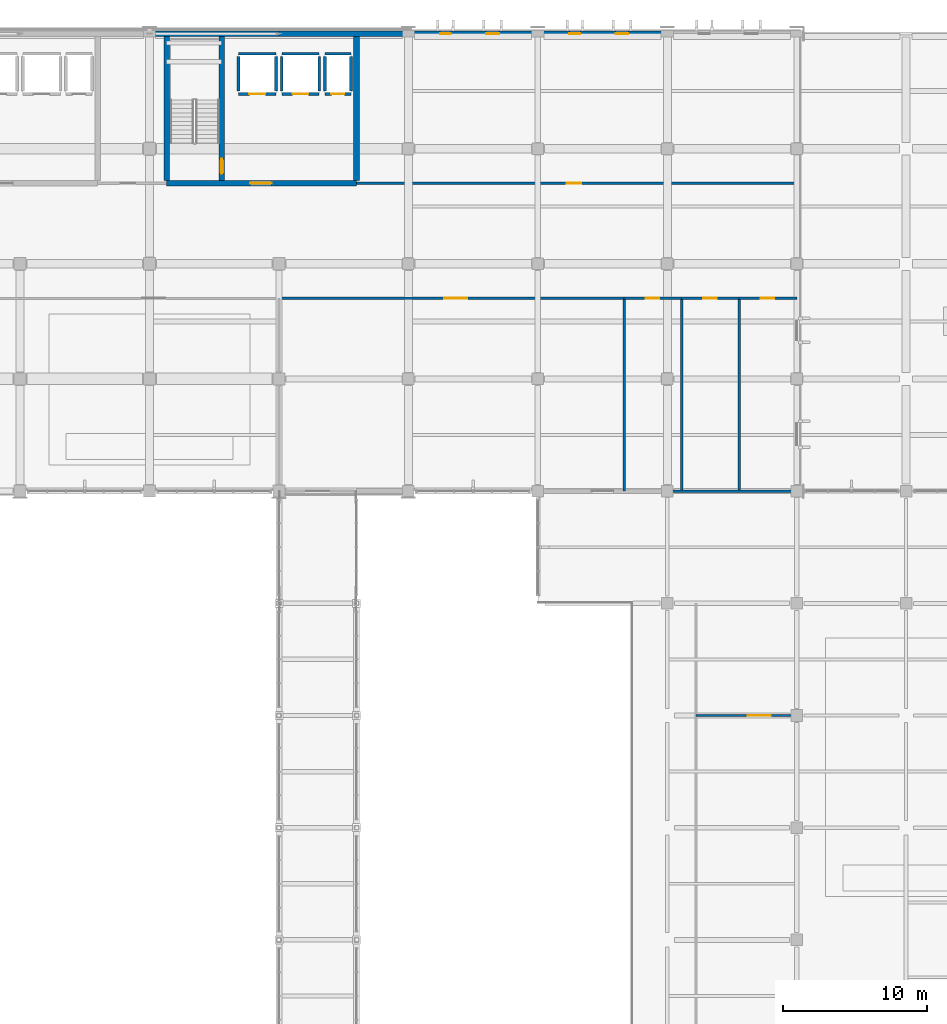
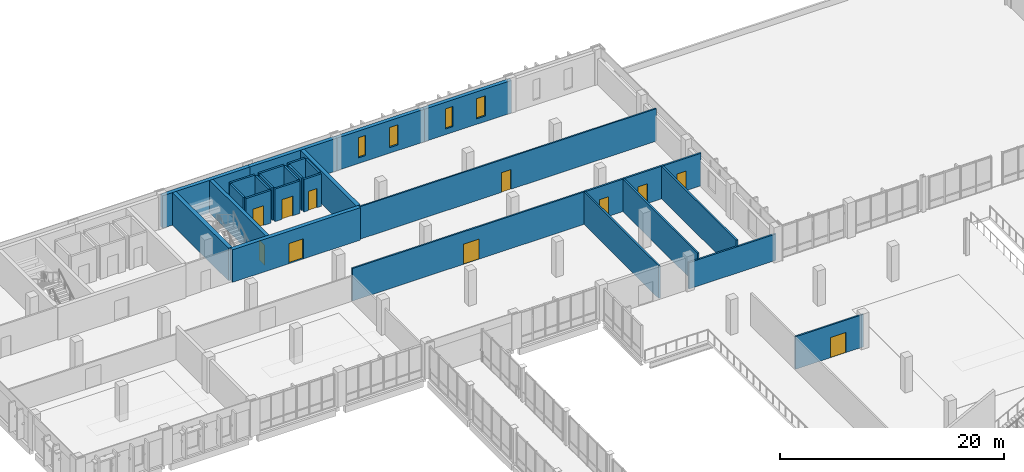
# One storey, part 61 of 85: 30 walls, 11 doors, 4 windows, 15 openings.
"""IFC4 building model written with IfcOpenShell, lengths in metres."""

import ifcopenshell
import ifcopenshell.guid

model = None  # the IFC model being written
_history = None  # IfcOwnerHistory: only IFC2X3 demands one
_inside = {}  # id of a spatial element -> (the spatial element, [elements in it])
_under = {}  # id of a project, library or spatial element -> (it, [spatial elements below it])
_declared = {}  # id of a project -> (the project, [libraries it declares])
_typed = {}  # id of a type object -> (the type object, [elements of that type])
_made_of = {}  # id of a material, layer set ... -> (it, [elements and type objects made of it])


def new_model(schema):
    """Start an empty IFC model of exactly this schema.

    Asked for "IFC4X3", IfcOpenShell would pick the latest addendum, in which some entities
    have other attributes; the version numbers below select the first issue.
    IFC2X3 requires an IfcOwnerHistory on every rooted entity: one is made here for all.
    """
    global model, _history
    if schema == "IFC4X3":
        model = ifcopenshell.file(schema_version=(4, 3, 0, 0))
    else:
        model = ifcopenshell.file(schema=schema)
    _inside.clear()
    _under.clear()
    _declared.clear()
    _typed.clear()
    _made_of.clear()
    _history = None
    if model.schema == "IFC2X3":
        org = make("IfcOrganization", Name="unknown")
        user = make(
            "IfcPersonAndOrganization",
            ThePerson=make("IfcPerson", FamilyName="unknown"),
            TheOrganization=org,
        )
        app = make(
            "IfcApplication",
            ApplicationDeveloper=org,
            Version="unknown",
            ApplicationFullName="unknown",
            ApplicationIdentifier="unknown",
        )
        _history = make(
            "IfcOwnerHistory",
            OwningUser=user,
            OwningApplication=app,
            ChangeAction="ADDED",
            CreationDate=0,
        )
    return model


def make(cls, **values):
    """One entity of the class cls with the attributes given. An attribute that is None is left unset."""
    return model.create_entity(
        cls, **{name: value for name, value in values.items() if value is not None}
    )


def rooted(cls, **values):
    """An entity with a GlobalId (a new one), such as an element, a storey or a relation."""
    return make(cls, GlobalId=ifcopenshell.guid.new(), OwnerHistory=_history, **values)


def si_unit(unit_type, name, prefix=None):
    """IfcSIUnit, for example si_unit("LENGTHUNIT", "METRE", prefix="MILLI")."""
    return make("IfcSIUnit", UnitType=unit_type, Prefix=prefix, Name=name)


def assignment(units):
    """IfcUnitAssignment: the units of a project."""
    return None if units is None else make("IfcUnitAssignment", Units=units)


def point(xyz):
    """IfcCartesianPoint."""
    return None if xyz is None else make("IfcCartesianPoint", Coordinates=xyz)


def direction(xyz):
    """IfcDirection."""
    return None if xyz is None else make("IfcDirection", DirectionRatios=xyz)


def frame(location, z_axis=None, x_axis=None):
    """IfcAxis2Placement3D, a coordinate frame: its origin and axes. An axis left out is left unset."""
    return make(
        "IfcAxis2Placement3D",
        Location=point(location),
        Axis=direction(z_axis),
        RefDirection=direction(x_axis),
    )


def frame_2d(location, x_axis=None):
    """IfcAxis2Placement2D, a coordinate frame in the plane: its origin and x axis."""
    return make(
        "IfcAxis2Placement2D", Location=point(location), RefDirection=direction(x_axis)
    )


def origin():
    """The frame at (0, 0, 0) with its axes left unset."""
    return frame((0.0, 0.0, 0.0))


def place(relative_to, where):
    """IfcLocalPlacement: puts the frame where relative to a parent placement (None: the world)."""
    return make(
        "IfcLocalPlacement", PlacementRelTo=relative_to, RelativePlacement=where
    )


def context(
    kind, dimensions, precision=None, world=None, true_north=None, identifier=None
):
    """IfcGeometricRepresentationContext, for example the 3D "Model" context."""
    return make(
        "IfcGeometricRepresentationContext",
        ContextIdentifier=identifier,
        ContextType=kind,
        CoordinateSpaceDimension=dimensions,
        Precision=precision,
        WorldCoordinateSystem=world,
        TrueNorth=true_north,
    )


def subcontext(parent, identifier, kind, view, scale=None):
    """IfcGeometricRepresentationSubContext, for example "Body" below "Model"."""
    return make(
        "IfcGeometricRepresentationSubContext",
        ContextIdentifier=identifier,
        ContextType=kind,
        ParentContext=parent,
        TargetScale=scale,
        TargetView=view,
    )


def project(units=None, contexts=None):
    """IfcProject with its units and contexts."""
    return rooted(
        "IfcProject",
        Name="project",
        RepresentationContexts=contexts,
        UnitsInContext=assignment(units),
    )


def spatial(cls, under=None, at=None, **own):
    """A site, building, storey or space (cls), placed at a placement, below another one or the project."""
    s = rooted(cls, ObjectPlacement=at, **own)
    if under is not None:
        _under.setdefault(under.id(), (under, []))[1].append(s)
    return s


def profile(cls, at=None, kind="AREA", **sizes):
    """A parametric profile (cls). Its sizes go by their IFC names, for example OverallWidth=200.0."""
    return make(cls, ProfileType=kind, Position=at, **sizes)


def rectangle(**sizes):
    """IfcRectangleProfileDef."""
    return profile("IfcRectangleProfileDef", **sizes)


def extrude(swept, where, along, depth):
    """IfcExtrudedAreaSolid: the profile swept, set in the frame where, extruded along a direction by depth."""
    return make(
        "IfcExtrudedAreaSolid",
        SweptArea=swept,
        Position=where,
        ExtrudedDirection=direction(along),
        Depth=depth,
    )


def shape(context_of_items, identifier, shape_type, items):
    """IfcShapeRepresentation: the items that make up one representation, for example the "Body"."""
    return make(
        "IfcShapeRepresentation",
        ContextOfItems=context_of_items,
        RepresentationIdentifier=identifier,
        RepresentationType=shape_type,
        Items=items,
    )


def material(Name=None, Category=None):
    """IfcMaterial."""
    return make("IfcMaterial", Name=Name, Category=Category)


def layer(
    of_material, thickness, ventilated=None, Name=None, Category=None, Priority=None
):
    """IfcMaterialLayer: one layer of a wall or slab, of a material (None: an air gap)."""
    return make(
        "IfcMaterialLayer",
        Material=of_material,
        LayerThickness=thickness,
        IsVentilated=ventilated,
        Name=Name,
        Category=Category,
        Priority=Priority,
    )


def layer_set(layers, Name=None):
    """IfcMaterialLayerSet."""
    return make("IfcMaterialLayerSet", MaterialLayers=layers, LayerSetName=Name)


def made_of(thing, what):
    """Note that an element or type object is made of a material, layer set ...; save() writes the relation."""
    if what is not None:
        _made_of.setdefault(what.id(), (what, []))[1].append(thing)
    return thing


def type_object(cls, material=None, **own):
    """A type object (cls), such as IfcWallType, which elements share."""
    return made_of(rooted(cls, **own), material)


def element(
    cls,
    number,
    at=None,
    inside=None,
    cuts=None,
    type_object=None,
    material=None,
    context=None,
    identifier="Body",
    shape_type=None,
    held_by="IfcProductDefinitionShape",
    body=None,
    shapes=None,
    **own,
):
    """One element of the class cls, such as IfcWall. Its Tag is "e" and its number.

    at: its placement. inside: the storey or other place that contains it. cuts: it is an
    opening in that element (IfcRelVoidsElement). A single representation is given by context,
    identifier, shape_type and body (its items); several are given by shapes. held_by: the class
    of the entity that holds the representations. save() writes the other relations.
    """
    e = rooted(cls, Tag="e%d" % number, ObjectPlacement=at, **own)
    if body is not None:
        shapes = [shape(context, identifier, shape_type, body)]
    if shapes is not None:
        e.Representation = make(held_by, Representations=shapes)
    if inside is not None:
        _inside.setdefault(inside.id(), (inside, []))[1].append(e)
    if cuts is not None:
        rooted(
            "IfcRelVoidsElement", RelatingBuildingElement=cuts, RelatedOpeningElement=e
        )
    if type_object is not None:
        _typed.setdefault(type_object.id(), (type_object, []))[1].append(e)
    return made_of(e, material)


def fill(opening, filler):
    """IfcRelFillsElement: the door or window that sits in an opening."""
    return rooted(
        "IfcRelFillsElement",
        RelatingOpeningElement=opening,
        RelatedBuildingElement=filler,
    )


def aggregate(whole, parts):
    """IfcRelAggregates: a whole, such as a stair, and the parts it consists of."""
    return rooted("IfcRelAggregates", RelatingObject=whole, RelatedObjects=parts)


def save(model, path):
    """Write the relations noted so far, then the file.

    IfcRelAggregates (storeys below a building ...), IfcRelContainedInSpatialStructure (elements
    in a storey), IfcRelDefinesByType, IfcRelAssociatesMaterial and IfcRelDeclares: one each for
    every whole, place, type object, material and project.
    """
    for whole, parts in _under.values():
        aggregate(whole, parts)
    for where, things in _inside.values():
        rooted(
            "IfcRelContainedInSpatialStructure",
            RelatedElements=things,
            RelatingStructure=where,
        )
    for kind, things in _typed.values():
        rooted("IfcRelDefinesByType", RelatedObjects=things, RelatingType=kind)
    for what, things in _made_of.values():
        rooted("IfcRelAssociatesMaterial", RelatedObjects=things, RelatingMaterial=what)
    for by, libraries in _declared.values():
        rooted("IfcRelDeclares", RelatingContext=by, RelatedDefinitions=libraries)
    model.write(path)


model = new_model("IFC4")

# Units and contexts
model_context = context("Model", 3, precision=1e-05, world=origin(), true_north=direction((0.0, 1.0)))
body_context = subcontext(model_context, "Body", "Model", "MODEL_VIEW")
ifc_project = project(units=[si_unit("LENGTHUNIT", "METRE"), si_unit("AREAUNIT", "SQUARE_METRE"), si_unit("VOLUMEUNIT", "CUBIC_METRE"), si_unit("PLANEANGLEUNIT", "RADIAN"), si_unit("MASSUNIT", "GRAM", prefix="KILO")], contexts=[model_context])

# Site, building, storey
site_placement = place(None, origin())
site = spatial("IfcSite", under=ifc_project, at=site_placement, CompositionType="ELEMENT")
building_placement = place(site_placement, origin())
building = spatial("IfcBuilding", under=site, at=building_placement, Name="Vervanel Yard Central Library", CompositionType="ELEMENT")
storey_placement = place(building_placement, frame((0.0, 0.0, 5.10009765625)))
storey = spatial("IfcBuildingStorey", under=building, at=storey_placement, Name="L01", CompositionType="ELEMENT", Elevation=5.10009765625)

# Wall, opening, door
ifc_material_1 = material(Name="Fire-rated gypsum board on steel studs", Category="steel")
ifc_layer_1 = layer(ifc_material_1, 0.159912109375, Category="steel")
ifc_layer_set_1 = layer_set([ifc_layer_1], Name="Fire-rated gypsum board on steel studs")
wall_type_1 = type_object("IfcWallType", Name="Acoustic Glazed Partition 160", PredefinedType="PARTITIONING", material=ifc_layer_set_1)
wall_1_placement = place(storey_placement, frame((72.0, 95.60009765625, 0.0), z_axis=(0.0, 0.0, 1.0), x_axis=(1.0, 0.0, 0.0)))
wall_1 = element("IfcWall", 1, at=wall_1_placement, inside=storey, type_object=wall_type_1, Name="L01 Acoustic Glazed Partition 160 IPART-L01-0048", PredefinedType="PARTITIONING", context=body_context, shape_type="SweptSolid", body=[
    extrude(rectangle(XDim=24.0, YDim=0.159912109375, at=frame_2d((12.0, 0.0))), origin(), (0.0, 0.0, 1.0), 3.5498046875),
])
opening_1_placement = place(wall_1_placement, frame((11.5, 0.0, 0.0)))
opening_1 = element("IfcOpeningElement", 2, at=opening_1_placement, cuts=wall_1, Name="Opening DR-04", PredefinedType="OPENING", context=body_context, shape_type="SweptSolid", body=[
    extrude(rectangle(XDim=1.60009765625, YDim=2.199951171875, at=frame_2d((0.800048828125, 1.10009765625))), frame((0.0, 0.08984375, 0.0), z_axis=(0.0, -1.0, 0.0), x_axis=(1.0, 0.0, 0.0)), (0.0, 0.0, 1.0), 0.179931640625),
])
ifc_material_2 = material(Name="Solid white oak acoustic joinery", Category="wood")
door_type_1 = type_object("IfcDoorType", Name="Interior Double Reading Door 1600x2200", OperationType="NOTDEFINED", PredefinedType="DOOR", material=ifc_material_2)
door_1_placement = place(opening_1_placement, origin())
door_1 = element("IfcDoor", 3, at=door_1_placement, inside=storey, type_object=door_type_1, Name="L01 Interior Double Reading Door 1600x2200 IDOOR-L01-0038", OperationType="DOUBLE_DOOR_SINGLE_SWING", OverallHeight=2.199951171875, OverallWidth=1.60009765625, PredefinedType="DOOR", context=body_context, shape_type="SweptSolid", body=[
    extrude(rectangle(XDim=1.60009765625, YDim=2.199951171875, at=frame_2d((0.800048828125, 1.10009765625))), frame((0.0, 0.02490234375, 0.0), z_axis=(0.0, -1.0, 0.0), x_axis=(1.0, 0.0, 0.0)), (0.0, 0.0, 1.0), 0.050048828125),
])
fill(opening_1, door_1)

wall_2_placement = place(storey_placement, frame((101.0, 66.60009765625, 0.0), z_axis=(0.0, 0.0, 1.0), x_axis=(1.0, 0.0, 0.0)))
wall_2 = element("IfcWall", 4, at=wall_2_placement, inside=storey, type_object=wall_type_1, Name="L01 Acoustic Glazed Partition 160 IPART-L01-0063", PredefinedType="PARTITIONING", context=body_context, shape_type="SweptSolid", body=[
    extrude(rectangle(XDim=7.0, YDim=0.159912109375, at=frame_2d((3.5, 0.0))), origin(), (0.0, 0.0, 1.0), 3.5498046875),
])
opening_2_placement = place(wall_2_placement, frame((3.60009765625, 0.0, 0.0)))
opening_2 = element("IfcOpeningElement", 5, at=opening_2_placement, cuts=wall_2, Name="Opening DR-04", PredefinedType="OPENING", context=body_context, shape_type="SweptSolid", body=[
    extrude(rectangle(XDim=1.60009765625, YDim=2.199951171875, at=frame_2d((0.800048828125, 1.10009765625))), frame((0.0, 0.08984375, 0.0), z_axis=(0.0, -1.0, 0.0), x_axis=(1.0, 0.0, 0.0)), (0.0, 0.0, 1.0), 0.179931640625),
])
door_2_placement = place(opening_2_placement, origin())
door_2 = element("IfcDoor", 6, at=door_2_placement, inside=storey, type_object=door_type_1, Name="L01 Interior Double Reading Door 1600x2200 IDOOR-L01-0049", OperationType="DOUBLE_DOOR_SINGLE_SWING", OverallHeight=2.199951171875, OverallWidth=1.60009765625, PredefinedType="DOOR", context=body_context, shape_type="SweptSolid", body=[
    extrude(rectangle(XDim=1.60009765625, YDim=2.199951171875, at=frame_2d((0.800048828125, 1.10009765625))), frame((0.0, 0.02490234375, 0.0), z_axis=(0.0, -1.0, 0.0), x_axis=(1.0, 0.0, 0.0)), (0.0, 0.0, 1.0), 0.050048828125),
])
fill(opening_2, door_2)

ifc_material_3 = material(Name="Concrete C45/55", Category="concrete")
ifc_layer_2 = layer(ifc_material_3, 0.39990234375, Category="concrete")
ifc_layer_set_2 = layer_set([ifc_layer_2], Name="Concrete C45/55")
wall_type_2 = type_object("IfcWallType", Name="Core Primary Shear Wall 400", PredefinedType="SHEAR", material=ifc_layer_set_2)
wall_3_placement = place(storey_placement, frame((64.199951171875, 103.60009765625, 0.0), z_axis=(0.0, 0.0, 1.0), x_axis=(1.0, 0.0, 0.0)))
wall_3 = element("IfcWall", 7, at=wall_3_placement, inside=storey, type_object=wall_type_2, Name="L01 CORE-B Shear Wall S", PredefinedType="SHEAR", context=body_context, shape_type="SweptSolid", body=[
    extrude(rectangle(XDim=13.199951171875, YDim=0.39990234375, at=frame_2d((6.60009765625, 0.0))), origin(), (0.0, 0.0, 1.0), 3.5498046875),
])
opening_3_placement = place(wall_3_placement, frame((5.800048828125, 0.0, 0.0)))
opening_3 = element("IfcOpeningElement", 8, at=opening_3_placement, cuts=wall_3, Name="Opening DR-F02", PredefinedType="OPENING", context=body_context, shape_type="SweptSolid", body=[
    extrude(rectangle(XDim=1.5, YDim=2.199951171875, at=frame_2d((0.75, 1.10009765625))), frame((0.0, 0.2099609375, 0.0), z_axis=(0.0, -1.0, 0.0), x_axis=(1.0, 0.0, 0.0)), (0.0, 0.0, 1.0), 0.419921875),
])
ifc_material_4 = material(Name="Galvanized painted steelwork ASTM A500 Grade C", Category="steel")
door_type_2 = type_object("IfcDoorType", Name="Fire-Rated Lobby Door 1500x2200", OperationType="NOTDEFINED", PredefinedType="DOOR", material=ifc_material_4)
door_3_placement = place(opening_3_placement, origin())
door_3 = element("IfcDoor", 9, at=door_3_placement, inside=storey, type_object=door_type_2, Name="L01 CORE-B Lobby Fire Door", OperationType="DOUBLE_DOOR_SINGLE_SWING", OverallHeight=2.199951171875, OverallWidth=1.5, PredefinedType="DOOR", context=body_context, shape_type="SweptSolid", body=[
    extrude(rectangle(XDim=1.5, YDim=2.199951171875, at=frame_2d((0.75, 1.10009765625))), frame((0.0, 0.02490234375, 0.0), z_axis=(0.0, -1.0, 0.0), x_axis=(1.0, 0.0, 0.0)), (0.0, 0.0, 1.0), 0.050048828125),
])
fill(opening_3, door_3)

# Walls
for number, where, z_axis, x_axis, name in (
    (10, (64.199951171875, 103.800048828125, 0.0), (0.0, 0.0, 1.0), (0.0, 1.0, 0.0), "L01 CORE-B Shear Wall W"),
    (11, (77.39990234375, 103.800048828125, 0.0), (0.0, 0.0, 1.0), (0.0, 1.0, 0.0), "L01 CORE-B Shear Wall E"),
):
    element("IfcWall", number, at=place(storey_placement, frame(where, z_axis=z_axis, x_axis=x_axis)), inside=storey, type_object=wall_type_2, Name=name, PredefinedType="SHEAR", context=body_context, shape_type="SweptSolid", body=[
        extrude(rectangle(XDim=10.010009765625, YDim=0.39990234375, at=frame_2d((5.0048828125, 0.0))), origin(), (0.0, 0.0, 1.0), 3.5498046875),
    ])

# Wall, opening, door
ifc_layer_3 = layer(ifc_material_3, 0.35009765625, Category="concrete")
ifc_layer_set_3 = layer_set([ifc_layer_3], Name="Concrete C45/55")
wall_type_3 = type_object("IfcWallType", Name="Core Secondary Shear Wall 350", PredefinedType="SHEAR", material=ifc_layer_set_3)
wall_4_placement = place(storey_placement, frame((68.02490234375, 103.800048828125, 0.0), z_axis=(0.0, 0.0, 1.0), x_axis=(0.0, 1.0, 0.0)))
wall_4 = element("IfcWall", 12, at=wall_4_placement, inside=storey, type_object=wall_type_3, Name="L01 CORE-B Stair Shaft Wall", PredefinedType="SHEAR", context=body_context, shape_type="SweptSolid", body=[
    extrude(rectangle(XDim=10.010009765625, YDim=0.35009765625, at=frame_2d((5.0048828125, 0.0))), origin(), (0.0, 0.0, 1.0), 3.5498046875),
])
opening_4_placement = place(wall_4_placement, frame((0.449951171875, 0.0, 0.0)))
opening_4 = element("IfcOpeningElement", 13, at=opening_4_placement, cuts=wall_4, Name="Opening DR-F01", PredefinedType="OPENING", context=body_context, shape_type="SweptSolid", body=[
    extrude(rectangle(XDim=1.050048828125, YDim=2.199951171875, at=frame_2d((0.52490234375, 1.10009765625))), frame((0.0, 0.18505859375, 0.0), z_axis=(0.0, -1.0, 0.0), x_axis=(1.0, 0.0, 0.0)), (0.0, 0.0, 1.0), 0.3701171875),
])
door_type_3 = type_object("IfcDoorType", Name="Fire-Rated Stair Exit Door 1050x2200", OperationType="NOTDEFINED", PredefinedType="DOOR", material=ifc_material_4)
door_4_placement = place(opening_4_placement, origin())
door_4 = element("IfcDoor", 14, at=door_4_placement, inside=storey, type_object=door_type_3, Name="L01 CORE-B Stair Door", OperationType="SINGLE_SWING_RIGHT", OverallHeight=2.199951171875, OverallWidth=1.050048828125, PredefinedType="DOOR", context=body_context, shape_type="SweptSolid", body=[
    extrude(rectangle(XDim=1.050048828125, YDim=2.199951171875, at=frame_2d((0.52490234375, 1.10009765625))), frame((0.0, 0.02490234375, 0.0), z_axis=(0.0, -1.0, 0.0), x_axis=(1.0, 0.0, 0.0)), (0.0, 0.0, 1.0), 0.050048828125),
])
fill(opening_4, door_4)

# Walls
ifc_layer_4 = layer(ifc_material_3, 0.3798828125, Category="concrete")
ifc_layer_set_4 = layer_set([ifc_layer_4], Name="Concrete C45/55")
wall_type_4 = type_object("IfcWallType", Name="Exterior Bearing Concrete Spine Wall 380", PredefinedType="SOLIDWALL", material=ifc_layer_set_4)
for number, where, z_axis, x_axis, name in (
    (15, (63.0, 114.0, 0.0), (0.0, 0.0, 1.0), (1.0, 0.0, 0.0), "L01 Exterior Bearing Concrete Spine Wall 380 EWALL-L01-0022"),
    (16, (72.0, 114.0, 0.0), (0.0, 0.0, 1.0), (1.0, 0.0, 0.0), "L01 Exterior Bearing Concrete Spine Wall 380 EWALL-L01-0023"),
):
    element("IfcWall", number, at=place(storey_placement, frame(where, z_axis=z_axis, x_axis=x_axis)), inside=storey, type_object=wall_type_4, Name=name, PredefinedType="SOLIDWALL", context=body_context, shape_type="SweptSolid", body=[
        extrude(rectangle(XDim=9.0, YDim=0.3798828125, at=frame_2d((4.5, 0.0))), origin(), (0.0, 0.0, 1.0), 3.5498046875),
    ])

# Wall, openings, windows
wall_5_placement = place(storey_placement, frame((81.0, 114.0, 0.0), z_axis=(0.0, 0.0, 1.0), x_axis=(1.0, 0.0, 0.0)))
wall_5 = element("IfcWall", 17, at=wall_5_placement, inside=storey, type_object=wall_type_4, Name="L01 Exterior Bearing Concrete Spine Wall 380 EWALL-L01-0024", PredefinedType="SOLIDWALL", context=body_context, shape_type="SweptSolid", body=[
    extrude(rectangle(XDim=9.0, YDim=0.3798828125, at=frame_2d((4.5, 0.0))), origin(), (0.0, 0.0, 1.0), 3.5498046875),
])
opening_5_placement = place(wall_5_placement, frame((2.199951171875, 0.0, 0.614990234375)))
opening_5 = element("IfcOpeningElement", 18, at=opening_5_placement, cuts=wall_5, Name="Opening WN-04", PredefinedType="OPENING", context=body_context, shape_type="SweptSolid", body=[
    extrude(rectangle(XDim=0.75, YDim=2.199951171875, at=frame_2d((0.375, 1.10009765625))), frame((0.0, 0.199951171875, 0.0), z_axis=(0.0, -1.0, 0.0), x_axis=(1.0, 0.0, 0.0)), (0.0, 0.0, 1.0), 0.39990234375),
])
opening_6_placement = place(wall_5_placement, frame((5.39990234375, 0.0, 0.614990234375)))
opening_6 = element("IfcOpeningElement", 19, at=opening_6_placement, cuts=wall_5, Name="Opening WN-05", PredefinedType="OPENING", context=body_context, shape_type="SweptSolid", body=[
    extrude(rectangle(XDim=0.89990234375, YDim=2.199951171875, at=frame_2d((0.449951171875, 1.10009765625))), frame((0.0, 0.199951171875, 0.0), z_axis=(0.0, -1.0, 0.0), x_axis=(1.0, 0.0, 0.0)), (0.0, 0.0, 1.0), 0.39990234375),
])
ifc_material_5 = material(Name="Double low-E laminated solar-control glass", Category="glass")
window_type_1 = type_object("IfcWindowType", Name="Stack Deep-Reveal Window 900x2200", PartitioningType="SINGLE_PANEL", PredefinedType="WINDOW", material=ifc_material_5)
window_1_placement = place(opening_6_placement, origin())
window_1 = element("IfcWindow", 20, at=window_1_placement, inside=storey, type_object=window_type_1, Name="L01 Stack Deep-Reveal Window 900x2200 31", OverallHeight=2.199951171875, OverallWidth=0.89990234375, PartitioningType="SINGLE_PANEL", PredefinedType="WINDOW", context=body_context, shape_type="SweptSolid", body=[
    extrude(rectangle(XDim=0.89990234375, YDim=2.199951171875, at=frame_2d((0.449951171875, 1.10009765625))), frame((0.0, 0.030029296875, 0.0), z_axis=(0.0, -1.0, 0.0), x_axis=(1.0, 0.0, 0.0)), (0.0, 0.0, 1.0), 0.06005859375),
])
fill(opening_6, window_1)
window_type_2 = type_object("IfcWindowType", Name="Stack Narrow UV-Filtered Window 750x2200", PartitioningType="SINGLE_PANEL", PredefinedType="WINDOW", material=ifc_material_5)
window_2_placement = place(opening_5_placement, origin())
window_2 = element("IfcWindow", 21, at=window_2_placement, inside=storey, type_object=window_type_2, Name="L01 Stack Narrow UV-Filtered Window 750x2200 30", OverallHeight=2.199951171875, OverallWidth=0.75, PartitioningType="SINGLE_PANEL", PredefinedType="WINDOW", context=body_context, shape_type="SweptSolid", body=[
    extrude(rectangle(XDim=0.75, YDim=2.199951171875, at=frame_2d((0.375, 1.10009765625))), frame((0.0, 0.030029296875, 0.0), z_axis=(0.0, -1.0, 0.0), x_axis=(1.0, 0.0, 0.0)), (0.0, 0.0, 1.0), 0.06005859375),
])
fill(opening_5, window_2)

wall_6_placement = place(storey_placement, frame((90.0, 114.0, 0.0), z_axis=(0.0, 0.0, 1.0), x_axis=(1.0, 0.0, 0.0)))
wall_6 = element("IfcWall", 22, at=wall_6_placement, inside=storey, type_object=wall_type_4, Name="L01 Exterior Bearing Concrete Spine Wall 380 EWALL-L01-0025", PredefinedType="SOLIDWALL", context=body_context, shape_type="SweptSolid", body=[
    extrude(rectangle(XDim=9.0, YDim=0.3798828125, at=frame_2d((4.5, 0.0))), origin(), (0.0, 0.0, 1.0), 3.5498046875),
])
opening_7_placement = place(wall_6_placement, frame((2.199951171875, 0.0, 0.614990234375)))
opening_7 = element("IfcOpeningElement", 23, at=opening_7_placement, cuts=wall_6, Name="Opening WN-04", PredefinedType="OPENING", context=body_context, shape_type="SweptSolid", body=[
    extrude(rectangle(XDim=0.75, YDim=2.199951171875, at=frame_2d((0.375, 1.10009765625))), frame((0.0, 0.199951171875, 0.0), z_axis=(0.0, -1.0, 0.0), x_axis=(1.0, 0.0, 0.0)), (0.0, 0.0, 1.0), 0.39990234375),
])
opening_8_placement = place(wall_6_placement, frame((5.39990234375, 0.0, 0.614990234375)))
opening_8 = element("IfcOpeningElement", 24, at=opening_8_placement, cuts=wall_6, Name="Opening WN-05", PredefinedType="OPENING", context=body_context, shape_type="SweptSolid", body=[
    extrude(rectangle(XDim=0.89990234375, YDim=2.199951171875, at=frame_2d((0.449951171875, 1.10009765625))), frame((0.0, 0.199951171875, 0.0), z_axis=(0.0, -1.0, 0.0), x_axis=(1.0, 0.0, 0.0)), (0.0, 0.0, 1.0), 0.39990234375),
])
window_3_placement = place(opening_8_placement, origin())
window_3 = element("IfcWindow", 25, at=window_3_placement, inside=storey, type_object=window_type_1, Name="L01 Stack Deep-Reveal Window 900x2200 33", OverallHeight=2.199951171875, OverallWidth=0.89990234375, PartitioningType="SINGLE_PANEL", PredefinedType="WINDOW", context=body_context, shape_type="SweptSolid", body=[
    extrude(rectangle(XDim=0.89990234375, YDim=2.199951171875, at=frame_2d((0.449951171875, 1.10009765625))), frame((0.0, 0.030029296875, 0.0), z_axis=(0.0, -1.0, 0.0), x_axis=(1.0, 0.0, 0.0)), (0.0, 0.0, 1.0), 0.06005859375),
])
fill(opening_8, window_3)
window_4_placement = place(opening_7_placement, origin())
window_4 = element("IfcWindow", 26, at=window_4_placement, inside=storey, type_object=window_type_2, Name="L01 Stack Narrow UV-Filtered Window 750x2200 32", OverallHeight=2.199951171875, OverallWidth=0.75, PartitioningType="SINGLE_PANEL", PredefinedType="WINDOW", context=body_context, shape_type="SweptSolid", body=[
    extrude(rectangle(XDim=0.75, YDim=2.199951171875, at=frame_2d((0.375, 1.10009765625))), frame((0.0, 0.030029296875, 0.0), z_axis=(0.0, -1.0, 0.0), x_axis=(1.0, 0.0, 0.0)), (0.0, 0.0, 1.0), 0.06005859375),
])
fill(opening_7, window_4)

# Wall, opening, door
ifc_layer_5 = layer(ifc_material_1, 0.14990234375, Category="steel")
ifc_layer_set_5 = layer_set([ifc_layer_5], Name="Fire-rated gypsum board on steel studs")
wall_type_5 = type_object("IfcWallType", Name="Interior Partition 150", PredefinedType="PARTITIONING", material=ifc_layer_set_5)
wall_7_placement = place(storey_placement, frame((77.39990234375, 103.60009765625, 0.0), z_axis=(0.0, 0.0, 1.0), x_axis=(1.0, 0.0, 0.0)))
wall_7 = element("IfcWall", 27, at=wall_7_placement, inside=storey, type_object=wall_type_5, Name="L01 Interior Partition 150 IPART-L01-0058", PredefinedType="PARTITIONING", context=body_context, shape_type="SweptSolid", body=[
    extrude(rectangle(XDim=30.60009765625, YDim=0.14990234375, at=frame_2d((15.300048828125, 0.0))), origin(), (0.0, 0.0, 1.0), 3.5498046875),
])
opening_9_placement = place(wall_7_placement, frame((14.60009765625, 0.0, 0.0)))
opening_9 = element("IfcOpeningElement", 28, at=opening_9_placement, cuts=wall_7, Name="Opening DR-01", PredefinedType="OPENING", context=body_context, shape_type="SweptSolid", body=[
    extrude(rectangle(XDim=1.0, YDim=2.14990234375, at=frame_2d((0.5, 1.074951171875))), frame((0.0, 0.0849609375, 0.0), z_axis=(0.0, -1.0, 0.0), x_axis=(1.0, 0.0, 0.0)), (0.0, 0.0, 1.0), 0.169921875),
])
door_type_4 = type_object("IfcDoorType", Name="Interior Single Door 1000x2150", OperationType="NOTDEFINED", PredefinedType="DOOR", material=ifc_material_2)
door_5_placement = place(opening_9_placement, origin())
door_5 = element("IfcDoor", 29, at=door_5_placement, inside=storey, type_object=door_type_4, Name="L01 Interior Single Door 1000x2150 IDOOR-L01-0044", OperationType="SINGLE_SWING_RIGHT", OverallHeight=2.14990234375, OverallWidth=1.0, PredefinedType="DOOR", context=body_context, shape_type="SweptSolid", body=[
    extrude(rectangle(XDim=1.0, YDim=2.14990234375, at=frame_2d((0.5, 1.074951171875))), frame((0.0, 0.02490234375, 0.0), z_axis=(0.0, -1.0, 0.0), x_axis=(1.0, 0.0, 0.0)), (0.0, 0.0, 1.0), 0.050048828125),
])
fill(opening_9, door_5)

ifc_layer_6 = layer(ifc_material_1, 0.179931640625, Category="steel")
ifc_layer_set_6 = layer_set([ifc_layer_6], Name="Fire-rated gypsum board on steel studs")
wall_type_6 = type_object("IfcWallType", Name="Plumbing Chase Wall 180", PredefinedType="PLUMBINGWALL", material=ifc_layer_set_6)
wall_8_placement = place(storey_placement, frame((96.0, 95.60009765625, 0.0), z_axis=(0.0, 0.0, 1.0), x_axis=(1.0, 0.0, 0.0)))
wall_8 = element("IfcWall", 30, at=wall_8_placement, inside=storey, type_object=wall_type_6, Name="L01 Plumbing Chase Wall 180 IPART-L01-0050", PredefinedType="PLUMBINGWALL", context=body_context, shape_type="SweptSolid", body=[
    extrude(rectangle(XDim=4.0, YDim=0.179931640625, at=frame_2d((2.0, 0.0))), origin(), (0.0, 0.0, 1.0), 3.5498046875),
])
opening_10_placement = place(wall_8_placement, frame((1.5, 0.0, 0.0)))
opening_10 = element("IfcOpeningElement", 31, at=opening_10_placement, cuts=wall_8, Name="Opening DR-02", PredefinedType="OPENING", context=body_context, shape_type="SweptSolid", body=[
    extrude(rectangle(XDim=0.949951171875, YDim=2.14990234375, at=frame_2d((0.47509765625, 1.074951171875))), frame((0.0, 0.099853515625, 0.0), z_axis=(0.0, -1.0, 0.0), x_axis=(1.0, 0.0, 0.0)), (0.0, 0.0, 1.0), 0.199951171875),
])
door_type_5 = type_object("IfcDoorType", Name="Interior Accessible Restroom Door 950x2150", OperationType="NOTDEFINED", PredefinedType="DOOR", material=ifc_material_2)
door_6_placement = place(opening_10_placement, origin())
door_6 = element("IfcDoor", 32, at=door_6_placement, inside=storey, type_object=door_type_5, Name="L01 Interior Accessible Restroom Door 950x2150 IDOOR-L01-0039", OperationType="SINGLE_SWING_LEFT", OverallHeight=2.14990234375, OverallWidth=0.949951171875, PredefinedType="DOOR", context=body_context, shape_type="SweptSolid", body=[
    extrude(rectangle(XDim=0.949951171875, YDim=2.14990234375, at=frame_2d((0.47509765625, 1.074951171875))), frame((0.0, 0.02490234375, 0.0), z_axis=(0.0, -1.0, 0.0), x_axis=(1.0, 0.0, 0.0)), (0.0, 0.0, 1.0), 0.050048828125),
])
fill(opening_10, door_6)

# Wall
wall_9_placement = place(storey_placement, frame((96.0, 82.199951171875, 0.0), z_axis=(0.0, 0.0, 1.0), x_axis=(0.0, 1.0, 0.0)))
element("IfcWall", 33, at=wall_9_placement, inside=storey, type_object=wall_type_6, Name="L01 Plumbing Chase Wall 180 IPART-L01-0051", PredefinedType="PLUMBINGWALL", context=body_context, shape_type="SweptSolid", body=[
    extrude(rectangle(XDim=13.400146484375, YDim=0.179931640625, at=frame_2d((6.7001953125, 0.0))), origin(), (0.0, 0.0, 1.0), 3.5498046875),
])

# Wall, opening, door
wall_10_placement = place(storey_placement, frame((100.0, 95.60009765625, 0.0), z_axis=(0.0, 0.0, 1.0), x_axis=(1.0, 0.0, 0.0)))
wall_10 = element("IfcWall", 34, at=wall_10_placement, inside=storey, type_object=wall_type_6, Name="L01 Plumbing Chase Wall 180 IPART-L01-0052", PredefinedType="PLUMBINGWALL", context=body_context, shape_type="SweptSolid", body=[
    extrude(rectangle(XDim=4.0, YDim=0.179931640625, at=frame_2d((2.0, 0.0))), origin(), (0.0, 0.0, 1.0), 3.5498046875),
])
opening_11_placement = place(wall_10_placement, frame((1.5, 0.0, 0.0)))
opening_11 = element("IfcOpeningElement", 35, at=opening_11_placement, cuts=wall_10, Name="Opening DR-02", PredefinedType="OPENING", context=body_context, shape_type="SweptSolid", body=[
    extrude(rectangle(XDim=0.949951171875, YDim=2.14990234375, at=frame_2d((0.47509765625, 1.074951171875))), frame((0.0, 0.099853515625, 0.0), z_axis=(0.0, -1.0, 0.0), x_axis=(1.0, 0.0, 0.0)), (0.0, 0.0, 1.0), 0.199951171875),
])
door_7_placement = place(opening_11_placement, origin())
door_7 = element("IfcDoor", 36, at=door_7_placement, inside=storey, type_object=door_type_5, Name="L01 Interior Accessible Restroom Door 950x2150 IDOOR-L01-0040", OperationType="SINGLE_SWING_RIGHT", OverallHeight=2.14990234375, OverallWidth=0.949951171875, PredefinedType="DOOR", context=body_context, shape_type="SweptSolid", body=[
    extrude(rectangle(XDim=0.949951171875, YDim=2.14990234375, at=frame_2d((0.47509765625, 1.074951171875))), frame((0.0, 0.02490234375, 0.0), z_axis=(0.0, -1.0, 0.0), x_axis=(1.0, 0.0, 0.0)), (0.0, 0.0, 1.0), 0.050048828125),
])
fill(opening_11, door_7)

# Wall
wall_11_placement = place(storey_placement, frame((100.0, 82.199951171875, 0.0), z_axis=(0.0, 0.0, 1.0), x_axis=(0.0, 1.0, 0.0)))
element("IfcWall", 37, at=wall_11_placement, inside=storey, type_object=wall_type_6, Name="L01 Plumbing Chase Wall 180 IPART-L01-0053", PredefinedType="PLUMBINGWALL", context=body_context, shape_type="SweptSolid", body=[
    extrude(rectangle(XDim=13.400146484375, YDim=0.179931640625, at=frame_2d((6.7001953125, 0.0))), origin(), (0.0, 0.0, 1.0), 3.5498046875),
])

# Wall, opening, door
wall_12_placement = place(storey_placement, frame((104.0, 95.60009765625, 0.0), z_axis=(0.0, 0.0, 1.0), x_axis=(1.0, 0.0, 0.0)))
wall_12 = element("IfcWall", 38, at=wall_12_placement, inside=storey, type_object=wall_type_6, Name="L01 Plumbing Chase Wall 180 IPART-L01-0054", PredefinedType="PLUMBINGWALL", context=body_context, shape_type="SweptSolid", body=[
    extrude(rectangle(XDim=4.0, YDim=0.179931640625, at=frame_2d((2.0, 0.0))), origin(), (0.0, 0.0, 1.0), 3.5498046875),
])
opening_12_placement = place(wall_12_placement, frame((1.5, 0.0, 0.0)))
opening_12 = element("IfcOpeningElement", 39, at=opening_12_placement, cuts=wall_12, Name="Opening DR-02", PredefinedType="OPENING", context=body_context, shape_type="SweptSolid", body=[
    extrude(rectangle(XDim=0.949951171875, YDim=2.14990234375, at=frame_2d((0.47509765625, 1.074951171875))), frame((0.0, 0.099853515625, 0.0), z_axis=(0.0, -1.0, 0.0), x_axis=(1.0, 0.0, 0.0)), (0.0, 0.0, 1.0), 0.199951171875),
])
door_8_placement = place(opening_12_placement, origin())
door_8 = element("IfcDoor", 40, at=door_8_placement, inside=storey, type_object=door_type_5, Name="L01 Interior Accessible Restroom Door 950x2150 IDOOR-L01-0041", OperationType="SINGLE_SWING_LEFT", OverallHeight=2.14990234375, OverallWidth=0.949951171875, PredefinedType="DOOR", context=body_context, shape_type="SweptSolid", body=[
    extrude(rectangle(XDim=0.949951171875, YDim=2.14990234375, at=frame_2d((0.47509765625, 1.074951171875))), frame((0.0, 0.02490234375, 0.0), z_axis=(0.0, -1.0, 0.0), x_axis=(1.0, 0.0, 0.0)), (0.0, 0.0, 1.0), 0.050048828125),
])
fill(opening_12, door_8)

# Walls
wall_13_placement = place(storey_placement, frame((104.0, 82.199951171875, 0.0), z_axis=(0.0, 0.0, 1.0), x_axis=(0.0, 1.0, 0.0)))
element("IfcWall", 41, at=wall_13_placement, inside=storey, type_object=wall_type_6, Name="L01 Plumbing Chase Wall 180 IPART-L01-0055", PredefinedType="PLUMBINGWALL", context=body_context, shape_type="SweptSolid", body=[
    extrude(rectangle(XDim=13.400146484375, YDim=0.179931640625, at=frame_2d((6.7001953125, 0.0))), origin(), (0.0, 0.0, 1.0), 3.5498046875),
])
wall_14_placement = place(storey_placement, frame((99.0, 82.199951171875, 0.0), z_axis=(0.0, 0.0, 1.0), x_axis=(1.0, 0.0, 0.0)))
element("IfcWall", 42, at=wall_14_placement, inside=storey, type_object=wall_type_6, Name="L01 Plumbing Chase Wall 180 IPART-RC2-L01-WCS", PredefinedType="PLUMBINGWALL", context=body_context, shape_type="SweptSolid", body=[
    extrude(rectangle(XDim=9.0, YDim=0.179931640625, at=frame_2d((4.5, 0.0))), origin(), (0.0, 0.0, 1.0), 2.87255859375),
])

# Wall, opening, door
ifc_material_6 = material(Name="Concrete C40/50", Category="concrete")
ifc_layer_7 = layer(ifc_material_6, 0.199951171875, Category="concrete")
ifc_layer_set_7 = layer_set([ifc_layer_7], Name="Concrete C40/50")
wall_type_7 = type_object("IfcWallType", Name="Shaft & Plant Rated Wall 200", PredefinedType="PARTITIONING", material=ifc_layer_set_7)
wall_15_placement = place(storey_placement, frame((69.199951171875, 109.800048828125, 0.0), z_axis=(0.0, 0.0, 1.0), x_axis=(1.0, 0.0, 0.0)))
wall_15 = element("IfcWall", 43, at=wall_15_placement, inside=storey, type_object=wall_type_7, Name="L01 CORE-B-L01-EL-03 Shaft Wall S", PredefinedType="PARTITIONING", context=body_context, shape_type="SweptSolid", body=[
    extrude(rectangle(XDim=2.60009765625, YDim=0.199951171875, at=frame_2d((1.300048828125, 0.0))), origin(), (0.0, 0.0, 1.0), 3.5498046875),
])
opening_13_placement = place(wall_15_placement, frame((0.75, 0.0, 0.0)))
opening_13 = element("IfcOpeningElement", 44, at=opening_13_placement, cuts=wall_15, Name="Opening LD-01", PredefinedType="OPENING", context=body_context, shape_type="SweptSolid", body=[
    extrude(rectangle(XDim=1.10009765625, YDim=2.14990234375, at=frame_2d((0.550048828125, 1.074951171875))), frame((0.0, 0.10986328125, 0.0), z_axis=(0.0, -1.0, 0.0), x_axis=(1.0, 0.0, 0.0)), (0.0, 0.0, 1.0), 0.219970703125),
])
ifc_material_7 = material(Name="Brushed stainless steel AISI 316", Category="steel")
door_type_6 = type_object("IfcDoorType", Name="Passenger Lift Sliding Landing Door 1100x2150", OperationType="NOTDEFINED", PredefinedType="DOOR", material=ifc_material_7)
door_9_placement = place(opening_13_placement, origin())
door_9 = element("IfcDoor", 45, at=door_9_placement, inside=storey, type_object=door_type_6, Name="L01 Lift EL-03 Landing Door", OperationType="SLIDING_TO_LEFT", OverallHeight=2.14990234375, OverallWidth=1.10009765625, PredefinedType="DOOR", context=body_context, shape_type="SweptSolid", body=[
    extrude(rectangle(XDim=1.10009765625, YDim=2.14990234375, at=frame_2d((0.550048828125, 1.074951171875))), frame((0.0, 0.02490234375, 0.0), z_axis=(0.0, -1.0, 0.0), x_axis=(1.0, 0.0, 0.0)), (0.0, 0.0, 1.0), 0.050048828125),
])
fill(opening_13, door_9)

# Walls
wall_16_placement = place(storey_placement, frame((69.199951171875, 112.60009765625, 0.0), z_axis=(0.0, 0.0, 1.0), x_axis=(1.0, 0.0, 0.0)))
element("IfcWall", 46, at=wall_16_placement, inside=storey, type_object=wall_type_7, Name="L01 CORE-B-L01-EL-03 Shaft Wall N", PredefinedType="PARTITIONING", context=body_context, shape_type="SweptSolid", body=[
    extrude(rectangle(XDim=2.60009765625, YDim=0.199951171875, at=frame_2d((1.300048828125, 0.0))), origin(), (0.0, 0.0, 1.0), 3.5498046875),
])
for number, where, z_axis, x_axis, name in (
    (47, (69.199951171875, 110.0, 0.0), (0.0, 0.0, 1.0), (0.0, 1.0, 0.0), "L01 CORE-B-L01-EL-03 Shaft Wall W"),
    (48, (71.800048828125, 110.0, 0.0), (0.0, 0.0, 1.0), (0.0, 1.0, 0.0), "L01 CORE-B-L01-EL-03 Shaft Wall E"),
):
    element("IfcWall", number, at=place(storey_placement, frame(where, z_axis=z_axis, x_axis=x_axis)), inside=storey, type_object=wall_type_7, Name=name, PredefinedType="PARTITIONING", context=body_context, shape_type="SweptSolid", body=[
        extrude(rectangle(XDim=2.39990234375, YDim=0.199951171875, at=frame_2d((1.199951171875, 0.0))), origin(), (0.0, 0.0, 1.0), 3.5498046875),
    ])

# Wall, opening, door
wall_17_placement = place(storey_placement, frame((72.199951171875, 109.800048828125, 0.0), z_axis=(0.0, 0.0, 1.0), x_axis=(1.0, 0.0, 0.0)))
wall_17 = element("IfcWall", 49, at=wall_17_placement, inside=storey, type_object=wall_type_7, Name="L01 CORE-B-L01-EL-04 Shaft Wall S", PredefinedType="PARTITIONING", context=body_context, shape_type="SweptSolid", body=[
    extrude(rectangle(XDim=2.60009765625, YDim=0.199951171875, at=frame_2d((1.300048828125, 0.0))), origin(), (0.0, 0.0, 1.0), 3.5498046875),
])
opening_14_placement = place(wall_17_placement, frame((0.75, 0.0, 0.0)))
opening_14 = element("IfcOpeningElement", 50, at=opening_14_placement, cuts=wall_17, Name="Opening LD-01", PredefinedType="OPENING", context=body_context, shape_type="SweptSolid", body=[
    extrude(rectangle(XDim=1.10009765625, YDim=2.14990234375, at=frame_2d((0.550048828125, 1.074951171875))), frame((0.0, 0.10986328125, 0.0), z_axis=(0.0, -1.0, 0.0), x_axis=(1.0, 0.0, 0.0)), (0.0, 0.0, 1.0), 0.219970703125),
])
door_10_placement = place(opening_14_placement, origin())
door_10 = element("IfcDoor", 51, at=door_10_placement, inside=storey, type_object=door_type_6, Name="L01 Lift EL-04 Landing Door", OperationType="SLIDING_TO_RIGHT", OverallHeight=2.14990234375, OverallWidth=1.10009765625, PredefinedType="DOOR", context=body_context, shape_type="SweptSolid", body=[
    extrude(rectangle(XDim=1.10009765625, YDim=2.14990234375, at=frame_2d((0.550048828125, 1.074951171875))), frame((0.0, 0.02490234375, 0.0), z_axis=(0.0, -1.0, 0.0), x_axis=(1.0, 0.0, 0.0)), (0.0, 0.0, 1.0), 0.050048828125),
])
fill(opening_14, door_10)

# Walls
wall_18_placement = place(storey_placement, frame((72.199951171875, 112.60009765625, 0.0), z_axis=(0.0, 0.0, 1.0), x_axis=(1.0, 0.0, 0.0)))
element("IfcWall", 52, at=wall_18_placement, inside=storey, type_object=wall_type_7, Name="L01 CORE-B-L01-EL-04 Shaft Wall N", PredefinedType="PARTITIONING", context=body_context, shape_type="SweptSolid", body=[
    extrude(rectangle(XDim=2.60009765625, YDim=0.199951171875, at=frame_2d((1.300048828125, 0.0))), origin(), (0.0, 0.0, 1.0), 3.5498046875),
])
for number, where, z_axis, x_axis, name in (
    (53, (72.199951171875, 110.0, 0.0), (0.0, 0.0, 1.0), (0.0, 1.0, 0.0), "L01 CORE-B-L01-EL-04 Shaft Wall W"),
    (54, (74.800048828125, 110.0, 0.0), (0.0, 0.0, 1.0), (0.0, 1.0, 0.0), "L01 CORE-B-L01-EL-04 Shaft Wall E"),
):
    element("IfcWall", number, at=place(storey_placement, frame(where, z_axis=z_axis, x_axis=x_axis)), inside=storey, type_object=wall_type_7, Name=name, PredefinedType="PARTITIONING", context=body_context, shape_type="SweptSolid", body=[
        extrude(rectangle(XDim=2.39990234375, YDim=0.199951171875, at=frame_2d((1.199951171875, 0.0))), origin(), (0.0, 0.0, 1.0), 3.5498046875),
    ])

# Wall, opening, door
wall_19_placement = place(storey_placement, frame((75.199951171875, 109.800048828125, 0.0), z_axis=(0.0, 0.0, 1.0), x_axis=(1.0, 0.0, 0.0)))
wall_19 = element("IfcWall", 55, at=wall_19_placement, inside=storey, type_object=wall_type_7, Name="L01 CORE-B-L01-RIS Shaft Wall S", PredefinedType="PARTITIONING", context=body_context, shape_type="SweptSolid", body=[
    extrude(rectangle(XDim=1.800048828125, YDim=0.199951171875, at=frame_2d((0.89990234375, 0.0))), origin(), (0.0, 0.0, 1.0), 3.5498046875),
])
opening_15_placement = place(wall_19_placement, frame((0.449951171875, 0.0, 0.0)))
opening_15 = element("IfcOpeningElement", 56, at=opening_15_placement, cuts=wall_19, Name="Opening DR-03", PredefinedType="OPENING", context=body_context, shape_type="SweptSolid", body=[
    extrude(rectangle(XDim=0.89990234375, YDim=2.10009765625, at=frame_2d((0.449951171875, 1.050048828125))), frame((0.0, 0.10986328125, 0.0), z_axis=(0.0, -1.0, 0.0), x_axis=(1.0, 0.0, 0.0)), (0.0, 0.0, 1.0), 0.219970703125),
])
door_type_7 = type_object("IfcDoorType", Name="Interior Riser Access Door 900x2100", OperationType="NOTDEFINED", PredefinedType="DOOR", material=ifc_material_4)
door_11_placement = place(opening_15_placement, origin())
door_11 = element("IfcDoor", 57, at=door_11_placement, inside=storey, type_object=door_type_7, Name="L01 CORE-B Riser Access Door", OperationType="SINGLE_SWING_RIGHT", OverallHeight=2.10009765625, OverallWidth=0.89990234375, PredefinedType="DOOR", context=body_context, shape_type="SweptSolid", body=[
    extrude(rectangle(XDim=0.89990234375, YDim=2.10009765625, at=frame_2d((0.449951171875, 1.050048828125))), frame((0.0, 0.02490234375, 0.0), z_axis=(0.0, -1.0, 0.0), x_axis=(1.0, 0.0, 0.0)), (0.0, 0.0, 1.0), 0.050048828125),
])
fill(opening_15, door_11)

# Walls
wall_20_placement = place(storey_placement, frame((75.199951171875, 112.60009765625, 0.0), z_axis=(0.0, 0.0, 1.0), x_axis=(1.0, 0.0, 0.0)))
element("IfcWall", 58, at=wall_20_placement, inside=storey, type_object=wall_type_7, Name="L01 CORE-B-L01-RIS Shaft Wall N", PredefinedType="PARTITIONING", context=body_context, shape_type="SweptSolid", body=[
    extrude(rectangle(XDim=1.800048828125, YDim=0.199951171875, at=frame_2d((0.89990234375, 0.0))), origin(), (0.0, 0.0, 1.0), 3.5498046875),
])
for number, where, z_axis, x_axis, name in (
    (59, (75.199951171875, 110.0, 0.0), (0.0, 0.0, 1.0), (0.0, 1.0, 0.0), "L01 CORE-B-L01-RIS Shaft Wall W"),
    (60, (77.0, 110.0, 0.0), (0.0, 0.0, 1.0), (0.0, 1.0, 0.0), "L01 CORE-B-L01-RIS Shaft Wall E"),
):
    element("IfcWall", number, at=place(storey_placement, frame(where, z_axis=z_axis, x_axis=x_axis)), inside=storey, type_object=wall_type_7, Name=name, PredefinedType="PARTITIONING", context=body_context, shape_type="SweptSolid", body=[
        extrude(rectangle(XDim=2.39990234375, YDim=0.199951171875, at=frame_2d((1.199951171875, 0.0))), origin(), (0.0, 0.0, 1.0), 3.5498046875),
    ])

save(model, "model.ifc")
